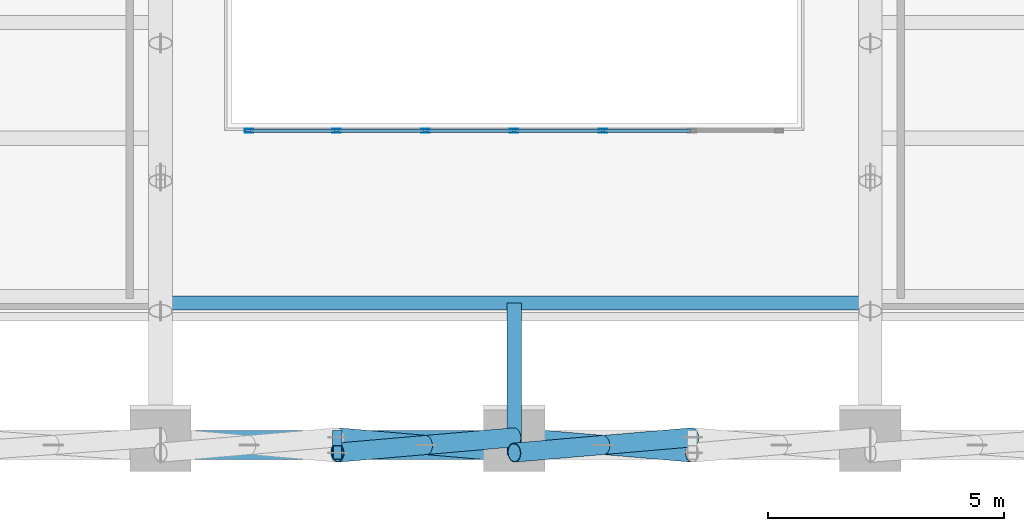
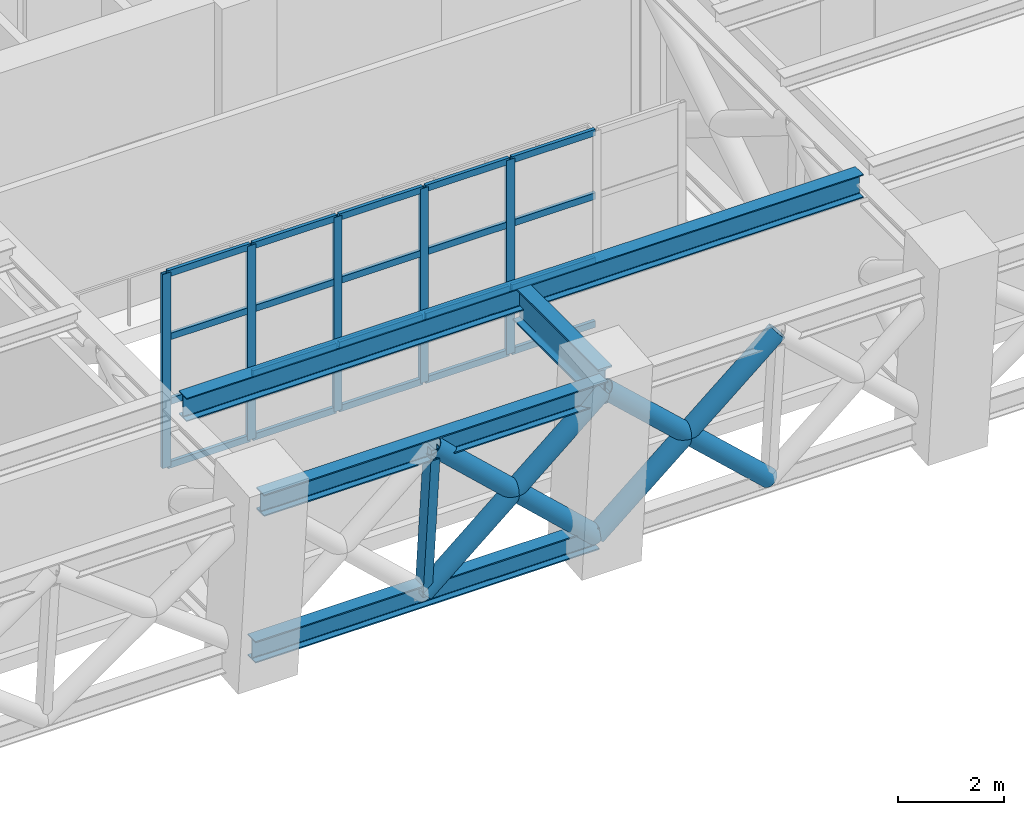
# One storey, part 2 of 13: 34 members, 2 beams, 1 element without a shape of its own.
"""IFC4 building model written with IfcOpenShell, lengths in metres."""

from ifc_helpers import new_model, si_unit, direction, frame, origin, origin_2d, place, context, subcontext, project, spatial, hollow_rectangle, hollow_circle, i_section, extrude, material, layer, layer_set, material_profile, profile_set, type_object, element, aggregate, save


model = new_model("IFC4")

# Units and contexts
model_context = context("Model", 3, precision=1e-05, world=origin(), true_north=direction((0.0, 1.0)))
body_context = subcontext(model_context, "Body", "Model", "MODEL_VIEW")
ifc_project = project(units=[si_unit("LENGTHUNIT", "METRE"), si_unit("AREAUNIT", "SQUARE_METRE"), si_unit("VOLUMEUNIT", "CUBIC_METRE"), si_unit("PLANEANGLEUNIT", "RADIAN"), si_unit("MASSUNIT", "GRAM", prefix="KILO")], contexts=[model_context])

# Site, building, storey
site_placement = place(None, origin())
site = spatial("IfcSite", under=ifc_project, at=site_placement, CompositionType="ELEMENT")
building_placement = place(site_placement, origin())
building = spatial("IfcBuilding", under=site, at=building_placement, Name="Zarnavel Station Tower", CompositionType="ELEMENT")
storey_placement = place(building_placement, frame((0.0, 0.0, 132.89990234375)))
storey = spatial("IfcBuildingStorey", under=building, at=storey_placement, Name="L36", CompositionType="ELEMENT", Elevation=132.89990234375)

# Members
ifc_material_1 = material(Name="Steel S460M", Category="steel")
ifc_material_profile_1 = material_profile(ifc_material_1, i_section(OverallWidth=0.300048828125, OverallDepth=0.5, WebThickness=0.014404296875, FlangeThickness=0.028076171875, FilletRadius=0.027099609375, at=origin_2d()), Name="HEB500")
ifc_profile_set_1 = profile_set([ifc_material_profile_1], Name="Steel S460M")
member_type_1 = type_object("IfcMemberType", Name="BT_CHORD_HEB500", PredefinedType="CHORD", material=ifc_profile_set_1)
for number, where, z_axis, x_axis, name in (
    (1, (21.300048828125, 14.148193359375, 0.400146484375), (1.0, 0.0, 0.0), (0.0, 1.0, 0.0), "L36 Perimeter Belt Truss Bottom Chord 2"),
    (2, (21.300048828125, 13.823974609375, 3.97998046875), (1.0, 0.0, 0.0), (0.0, 1.0, 0.0), "L36 Perimeter Belt Truss Top Chord 2"),
):
    element("IfcMember", number, at=place(storey_placement, frame(where, z_axis=z_axis, x_axis=x_axis)), inside=storey, type_object=member_type_1, Name=name, PredefinedType="CHORD", context=body_context, shape_type="SweptSolid", body=[
        extrude(i_section(OverallWidth=0.300048828125, OverallDepth=0.5, WebThickness=0.014404296875, FlangeThickness=0.028076171875, FilletRadius=0.027099609375, at=origin_2d()), origin(), (0.0, 0.0, 1.0), 7.5),
    ])
ifc_material_2 = material(Name="Steel S460M", Category="steel")
ifc_material_profile_2 = material_profile(ifc_material_2, hollow_circle(Radius=0.203125, WallThickness=0.01611328125, at=origin_2d()), Name="CHS406.4x16")
ifc_profile_set_2 = profile_set([ifc_material_profile_2], Name="Steel S460M")
member_type_2 = type_object("IfcMemberType", Name="BT_DIAG_CHS406", PredefinedType="BRACE", material=ifc_profile_set_2)
member_1_placement = place(storey_placement, frame((25.050048828125, 14.148193359375, 0.400146484375), z_axis=(0.721917427316, -0.06241577757, 0.689158544058), x_axis=(0.086136993838, 0.996283302225, 0.0)))
element("IfcMember", 3, at=member_1_placement, inside=storey, type_object=member_type_2, Name="L36 Belt Truss Continuous Diagonal A2 2", PredefinedType="BRACE", context=body_context, shape_type="SweptSolid", body=[
    extrude(hollow_circle(Radius=0.203125, WallThickness=0.01611328125, at=origin_2d()), origin(), (0.0, 0.0, 1.0), 5.194580078125),
])
member_2_placement = place(storey_placement, frame((28.800048828125, 14.148193359375, 0.400146484375), z_axis=(-0.721894044506, -0.062413755931, 0.689183220615), x_axis=(0.086136993838, -0.996283302225, 0.0)))
element("IfcMember", 4, at=member_2_placement, inside=storey, type_object=member_type_2, Name="L36 Belt Truss Split Diagonal B2 Lower 2", PredefinedType="BRACE", context=body_context, shape_type="SweptSolid", body=[
    extrude(hollow_circle(Radius=0.203125, WallThickness=0.01611328125, at=origin_2d()), origin(), (0.0, 0.0, 1.0), 2.597412109375),
])
member_3_placement = place(storey_placement, frame((26.925048828125, 13.986083984375, 2.190185546875), z_axis=(-0.721940810803, -0.062417799267, 0.689133865103), x_axis=(0.086136993838, -0.996283302225, 0.0)))
element("IfcMember", 5, at=member_3_placement, inside=storey, type_object=member_type_2, Name="L36 Belt Truss Split Diagonal B2 Upper 2", PredefinedType="BRACE", context=body_context, shape_type="SweptSolid", body=[
    extrude(hollow_circle(Radius=0.203125, WallThickness=0.01611328125, at=origin_2d()), origin(), (0.0, 0.0, 1.0), 2.59716796875),
])
member_4_placement = place(storey_placement, frame((28.800048828125, 14.148193359375, 0.400146484375), z_axis=(0.724201080753, -0.062200170433, 0.686777936042), x_axis=(0.085572938474, 0.996331908653, 0.0)))
element("IfcMember", 6, at=member_4_placement, inside=storey, type_object=member_type_2, Name="L36 Belt Truss Continuous Diagonal A1 3", PredefinedType="BRACE", context=body_context, shape_type="SweptSolid", body=[
    extrude(hollow_circle(Radius=0.203125, WallThickness=0.01611328125, at=origin_2d()), origin(), (0.0, 0.0, 1.0), 5.21240234375),
])
member_5_placement = place(storey_placement, frame((32.574951171875, 14.148193359375, 0.400146484375), z_axis=(-0.724177785745, -0.062198169672, 0.686802680777), x_axis=(0.085572938474, -0.996331908653, 0.0)))
element("IfcMember", 7, at=member_5_placement, inside=storey, type_object=member_type_2, Name="L36 Belt Truss Split Diagonal B1 Lower 3", PredefinedType="BRACE", context=body_context, shape_type="SweptSolid", body=[
    extrude(hollow_circle(Radius=0.203125, WallThickness=0.01611328125, at=origin_2d()), origin(), (0.0, 0.0, 1.0), 2.6064453125),
])
member_6_placement = place(storey_placement, frame((30.6875, 13.986083984375, 2.190185546875), z_axis=(-0.72422437642, -0.062202171251, 0.686753188919), x_axis=(0.085572938474, -0.996331908653, 0.0)))
element("IfcMember", 8, at=member_6_placement, inside=storey, type_object=member_type_2, Name="L36 Belt Truss Split Diagonal B1 Upper 3", PredefinedType="BRACE", context=body_context, shape_type="SweptSolid", body=[
    extrude(hollow_circle(Radius=0.203125, WallThickness=0.01611328125, at=origin_2d()), origin(), (0.0, 0.0, 1.0), 2.606201171875),
])
ifc_material_3 = material(Name="Steel S460M", Category="steel")
ifc_material_profile_3 = material_profile(ifc_material_3, hollow_rectangle(XDim=0.199951171875, YDim=0.300048828125, WallThickness=0.012451171875, at=origin_2d()), Name="RHS300x200x12.5")
ifc_profile_set_3 = profile_set([ifc_material_profile_3], Name="Steel S460M")
member_type_3 = type_object("IfcMemberType", Name="BT_POST_RHS300", PredefinedType="POST", material=ifc_profile_set_3)
member_7_placement = place(storey_placement, frame((25.050048828125, 14.148193359375, 0.400146484375), z_axis=(0.0, -0.090198920139, 0.995923769576), x_axis=(1.0, 0.0, 0.0)))
element("IfcMember", 9, at=member_7_placement, inside=storey, type_object=member_type_3, Name="L36 Belt Truss Mid-Bay Post 2", PredefinedType="POST", context=body_context, shape_type="SweptSolid", body=[
    extrude(hollow_rectangle(XDim=0.199951171875, YDim=0.300048828125, WallThickness=0.012451171875, at=origin_2d()), origin(), (0.0, 0.0, 1.0), 3.594482421875),
])

# Curtain wall, members
ifc_material_4 = material(Name="Aluminium Dark Anodised and Solar-Control Glass", Category="aluminium")
ifc_layer = layer(ifc_material_4, 0.179931640625)
ifc_layer_set = layer_set([ifc_layer], Name="CWS4")
curtain_wall_type = type_object("IfcCurtainWallType", Name="CWS4", PredefinedType="NOTDEFINED", material=ifc_layer_set)
curtain_wall_placement = place(storey_placement, origin())
curtain_wall = element("IfcCurtainWall", 10, at=curtain_wall_placement, inside=storey, type_object=curtain_wall_type, Name="L36 Curtain Wall CWS4-L36-AS", PredefinedType="NOTDEFINED")
ifc_material_5 = material(Name="Steel S355J2 (Black Fluoropolymer Coated)", Category="steel")
ifc_material_profile_4 = material_profile(ifc_material_5, hollow_rectangle(XDim=0.080078125, YDim=0.179931640625, WallThickness=0.00634765625, at=origin_2d()), Name="RHS180x80x6.3")
ifc_profile_set_4 = profile_set([ifc_material_profile_4], Name="Steel S355J2 (Black Fluoropolymer Coated)")
member_type_4 = type_object("IfcMemberType", Name="CWS4_MUL", PredefinedType="MULLION", material=ifc_profile_set_4)
member_8_placement = place(storey_placement, frame((23.179931640625, 20.64990234375, 0.0), z_axis=(0.0, 0.0, 1.0), x_axis=(0.0, 1.0, 0.0)))
member_8 = element("IfcMember", 11, at=member_8_placement, type_object=member_type_4, Name="CW4 mullion 1", PredefinedType="MULLION", context=body_context, shape_type="SweptSolid", body=[
    extrude(hollow_rectangle(XDim=0.080078125, YDim=0.179931640625, WallThickness=0.00634765625, at=origin_2d()), origin(), (0.0, 0.0, 1.0), 4.47998046875),
])
member_9_placement = place(storey_placement, frame((25.033447265625, 20.64990234375, 0.0), z_axis=(0.0, 0.0, 1.0), x_axis=(0.0, 1.0, 0.0)))
member_9 = element("IfcMember", 12, at=member_9_placement, type_object=member_type_4, Name="CW4 mullion 2", PredefinedType="MULLION", context=body_context, shape_type="SweptSolid", body=[
    extrude(hollow_rectangle(XDim=0.080078125, YDim=0.179931640625, WallThickness=0.00634765625, at=origin_2d()), origin(), (0.0, 0.0, 1.0), 4.47998046875),
])
member_10_placement = place(storey_placement, frame((26.916748046875, 20.64990234375, 0.0), z_axis=(0.0, 0.0, 1.0), x_axis=(0.0, 1.0, 0.0)))
member_10 = element("IfcMember", 13, at=member_10_placement, type_object=member_type_4, Name="CW4 mullion 3", PredefinedType="MULLION", context=body_context, shape_type="SweptSolid", body=[
    extrude(hollow_rectangle(XDim=0.080078125, YDim=0.179931640625, WallThickness=0.00634765625, at=origin_2d()), origin(), (0.0, 0.0, 1.0), 4.47998046875),
])
member_11_placement = place(storey_placement, frame((28.800048828125, 20.64990234375, 0.0), z_axis=(0.0, 0.0, 1.0), x_axis=(0.0, 1.0, 0.0)))
member_11 = element("IfcMember", 14, at=member_11_placement, type_object=member_type_4, Name="CW4 mullion 4", PredefinedType="MULLION", context=body_context, shape_type="SweptSolid", body=[
    extrude(hollow_rectangle(XDim=0.080078125, YDim=0.179931640625, WallThickness=0.00634765625, at=origin_2d()), origin(), (0.0, 0.0, 1.0), 4.47998046875),
])
member_12_placement = place(storey_placement, frame((30.683349609375, 20.64990234375, 0.0), z_axis=(0.0, 0.0, 1.0), x_axis=(0.0, 1.0, 0.0)))
member_12 = element("IfcMember", 15, at=member_12_placement, type_object=member_type_4, Name="CW4 mullion 5", PredefinedType="MULLION", context=body_context, shape_type="SweptSolid", body=[
    extrude(hollow_rectangle(XDim=0.080078125, YDim=0.179931640625, WallThickness=0.00634765625, at=origin_2d()), origin(), (0.0, 0.0, 1.0), 4.47998046875),
])
ifc_material_6 = material(Name="Steel S355J2 (Black Fluoropolymer Coated)", Category="steel")
ifc_material_profile_5 = material_profile(ifc_material_6, hollow_rectangle(XDim=0.074951171875, YDim=0.14990234375, WallThickness=0.00634765625, at=origin_2d()), Name="RHS150x75x6.3")
ifc_profile_set_5 = profile_set([ifc_material_profile_5], Name="Steel S355J2 (Black Fluoropolymer Coated)")
member_type_5 = type_object("IfcMemberType", Name="CWS4_TRN", PredefinedType="USERDEFINED", material=ifc_profile_set_5)
member_13_placement = place(storey_placement, frame((23.2099609375, 20.64990234375, 0.030029296875), z_axis=(1.0, 0.0, 0.0), x_axis=(0.0, 1.0, 0.0)))
member_13 = element("IfcMember", 16, at=member_13_placement, type_object=member_type_5, Name="CW4 transom 1.1", ObjectType="TRANSOM", PredefinedType="USERDEFINED", context=body_context, shape_type="SweptSolid", body=[
    extrude(hollow_rectangle(XDim=0.074951171875, YDim=0.14990234375, WallThickness=0.00634765625, at=origin_2d()), origin(), (0.0, 0.0, 1.0), 1.79345703125),
])
member_14_placement = place(storey_placement, frame((23.2099609375, 20.64990234375, 1.493408203125), z_axis=(1.0, 0.0, 0.0), x_axis=(0.0, 1.0, 0.0)))
member_14 = element("IfcMember", 17, at=member_14_placement, type_object=member_type_5, Name="CW4 transom 1.2", ObjectType="TRANSOM", PredefinedType="USERDEFINED", context=body_context, shape_type="SweptSolid", body=[
    extrude(hollow_rectangle(XDim=0.074951171875, YDim=0.14990234375, WallThickness=0.00634765625, at=origin_2d()), origin(), (0.0, 0.0, 1.0), 1.79345703125),
])
member_15_placement = place(storey_placement, frame((23.2099609375, 20.64990234375, 2.98681640625), z_axis=(1.0, 0.0, 0.0), x_axis=(0.0, 1.0, 0.0)))
member_15 = element("IfcMember", 18, at=member_15_placement, type_object=member_type_5, Name="CW4 transom 1.3", ObjectType="TRANSOM", PredefinedType="USERDEFINED", context=body_context, shape_type="SweptSolid", body=[
    extrude(hollow_rectangle(XDim=0.074951171875, YDim=0.14990234375, WallThickness=0.00634765625, at=origin_2d()), origin(), (0.0, 0.0, 1.0), 1.79345703125),
])
member_16_placement = place(storey_placement, frame((23.2099609375, 20.64990234375, 4.4501953125), z_axis=(1.0, 0.0, 0.0), x_axis=(0.0, 1.0, 0.0)))
member_16 = element("IfcMember", 19, at=member_16_placement, type_object=member_type_5, Name="CW4 transom 1.4", ObjectType="TRANSOM", PredefinedType="USERDEFINED", context=body_context, shape_type="SweptSolid", body=[
    extrude(hollow_rectangle(XDim=0.074951171875, YDim=0.14990234375, WallThickness=0.00634765625, at=origin_2d()), origin(), (0.0, 0.0, 1.0), 1.79345703125),
])
member_17_placement = place(storey_placement, frame((25.063232421875, 20.64990234375, 0.030029296875), z_axis=(1.0, 0.0, 0.0), x_axis=(0.0, 1.0, 0.0)))
member_17 = element("IfcMember", 20, at=member_17_placement, type_object=member_type_5, Name="CW4 transom 2.1", ObjectType="TRANSOM", PredefinedType="USERDEFINED", context=body_context, shape_type="SweptSolid", body=[
    extrude(hollow_rectangle(XDim=0.074951171875, YDim=0.14990234375, WallThickness=0.00634765625, at=origin_2d()), origin(), (0.0, 0.0, 1.0), 1.823486328125),
])
member_18_placement = place(storey_placement, frame((25.063232421875, 20.64990234375, 1.493408203125), z_axis=(1.0, 0.0, 0.0), x_axis=(0.0, 1.0, 0.0)))
member_18 = element("IfcMember", 21, at=member_18_placement, type_object=member_type_5, Name="CW4 transom 2.2", ObjectType="TRANSOM", PredefinedType="USERDEFINED", context=body_context, shape_type="SweptSolid", body=[
    extrude(hollow_rectangle(XDim=0.074951171875, YDim=0.14990234375, WallThickness=0.00634765625, at=origin_2d()), origin(), (0.0, 0.0, 1.0), 1.823486328125),
])
member_19_placement = place(storey_placement, frame((25.063232421875, 20.64990234375, 2.98681640625), z_axis=(1.0, 0.0, 0.0), x_axis=(0.0, 1.0, 0.0)))
member_19 = element("IfcMember", 22, at=member_19_placement, type_object=member_type_5, Name="CW4 transom 2.3", ObjectType="TRANSOM", PredefinedType="USERDEFINED", context=body_context, shape_type="SweptSolid", body=[
    extrude(hollow_rectangle(XDim=0.074951171875, YDim=0.14990234375, WallThickness=0.00634765625, at=origin_2d()), origin(), (0.0, 0.0, 1.0), 1.823486328125),
])
member_20_placement = place(storey_placement, frame((25.063232421875, 20.64990234375, 4.4501953125), z_axis=(1.0, 0.0, 0.0), x_axis=(0.0, 1.0, 0.0)))
member_20 = element("IfcMember", 23, at=member_20_placement, type_object=member_type_5, Name="CW4 transom 2.4", ObjectType="TRANSOM", PredefinedType="USERDEFINED", context=body_context, shape_type="SweptSolid", body=[
    extrude(hollow_rectangle(XDim=0.074951171875, YDim=0.14990234375, WallThickness=0.00634765625, at=origin_2d()), origin(), (0.0, 0.0, 1.0), 1.823486328125),
])
member_21_placement = place(storey_placement, frame((26.94677734375, 20.64990234375, 0.030029296875), z_axis=(1.0, 0.0, 0.0), x_axis=(0.0, 1.0, 0.0)))
member_21 = element("IfcMember", 24, at=member_21_placement, type_object=member_type_5, Name="CW4 transom 3.1", ObjectType="TRANSOM", PredefinedType="USERDEFINED", context=body_context, shape_type="SweptSolid", body=[
    extrude(hollow_rectangle(XDim=0.074951171875, YDim=0.14990234375, WallThickness=0.00634765625, at=origin_2d()), origin(), (0.0, 0.0, 1.0), 1.8232421875),
])
member_22_placement = place(storey_placement, frame((26.94677734375, 20.64990234375, 1.493408203125), z_axis=(1.0, 0.0, 0.0), x_axis=(0.0, 1.0, 0.0)))
member_22 = element("IfcMember", 25, at=member_22_placement, type_object=member_type_5, Name="CW4 transom 3.2", ObjectType="TRANSOM", PredefinedType="USERDEFINED", context=body_context, shape_type="SweptSolid", body=[
    extrude(hollow_rectangle(XDim=0.074951171875, YDim=0.14990234375, WallThickness=0.00634765625, at=origin_2d()), origin(), (0.0, 0.0, 1.0), 1.8232421875),
])
member_23_placement = place(storey_placement, frame((26.94677734375, 20.64990234375, 2.98681640625), z_axis=(1.0, 0.0, 0.0), x_axis=(0.0, 1.0, 0.0)))
member_23 = element("IfcMember", 26, at=member_23_placement, type_object=member_type_5, Name="CW4 transom 3.3", ObjectType="TRANSOM", PredefinedType="USERDEFINED", context=body_context, shape_type="SweptSolid", body=[
    extrude(hollow_rectangle(XDim=0.074951171875, YDim=0.14990234375, WallThickness=0.00634765625, at=origin_2d()), origin(), (0.0, 0.0, 1.0), 1.8232421875),
])
member_24_placement = place(storey_placement, frame((26.94677734375, 20.64990234375, 4.4501953125), z_axis=(1.0, 0.0, 0.0), x_axis=(0.0, 1.0, 0.0)))
member_24 = element("IfcMember", 27, at=member_24_placement, type_object=member_type_5, Name="CW4 transom 3.4", ObjectType="TRANSOM", PredefinedType="USERDEFINED", context=body_context, shape_type="SweptSolid", body=[
    extrude(hollow_rectangle(XDim=0.074951171875, YDim=0.14990234375, WallThickness=0.00634765625, at=origin_2d()), origin(), (0.0, 0.0, 1.0), 1.8232421875),
])
member_25_placement = place(storey_placement, frame((28.830078125, 20.64990234375, 0.030029296875), z_axis=(1.0, 0.0, 0.0), x_axis=(0.0, 1.0, 0.0)))
member_25 = element("IfcMember", 28, at=member_25_placement, type_object=member_type_5, Name="CW4 transom 4.1", ObjectType="TRANSOM", PredefinedType="USERDEFINED", context=body_context, shape_type="SweptSolid", body=[
    extrude(hollow_rectangle(XDim=0.074951171875, YDim=0.14990234375, WallThickness=0.00634765625, at=origin_2d()), origin(), (0.0, 0.0, 1.0), 1.8232421875),
])
member_26_placement = place(storey_placement, frame((28.830078125, 20.64990234375, 1.493408203125), z_axis=(1.0, 0.0, 0.0), x_axis=(0.0, 1.0, 0.0)))
member_26 = element("IfcMember", 29, at=member_26_placement, type_object=member_type_5, Name="CW4 transom 4.2", ObjectType="TRANSOM", PredefinedType="USERDEFINED", context=body_context, shape_type="SweptSolid", body=[
    extrude(hollow_rectangle(XDim=0.074951171875, YDim=0.14990234375, WallThickness=0.00634765625, at=origin_2d()), origin(), (0.0, 0.0, 1.0), 1.8232421875),
])
member_27_placement = place(storey_placement, frame((28.830078125, 20.64990234375, 2.98681640625), z_axis=(1.0, 0.0, 0.0), x_axis=(0.0, 1.0, 0.0)))
member_27 = element("IfcMember", 30, at=member_27_placement, type_object=member_type_5, Name="CW4 transom 4.3", ObjectType="TRANSOM", PredefinedType="USERDEFINED", context=body_context, shape_type="SweptSolid", body=[
    extrude(hollow_rectangle(XDim=0.074951171875, YDim=0.14990234375, WallThickness=0.00634765625, at=origin_2d()), origin(), (0.0, 0.0, 1.0), 1.8232421875),
])
member_28_placement = place(storey_placement, frame((28.830078125, 20.64990234375, 4.4501953125), z_axis=(1.0, 0.0, 0.0), x_axis=(0.0, 1.0, 0.0)))
member_28 = element("IfcMember", 31, at=member_28_placement, type_object=member_type_5, Name="CW4 transom 4.4", ObjectType="TRANSOM", PredefinedType="USERDEFINED", context=body_context, shape_type="SweptSolid", body=[
    extrude(hollow_rectangle(XDim=0.074951171875, YDim=0.14990234375, WallThickness=0.00634765625, at=origin_2d()), origin(), (0.0, 0.0, 1.0), 1.8232421875),
])
member_29_placement = place(storey_placement, frame((30.71337890625, 20.64990234375, 0.030029296875), z_axis=(1.0, 0.0, 0.0), x_axis=(0.0, 1.0, 0.0)))
member_29 = element("IfcMember", 32, at=member_29_placement, type_object=member_type_5, Name="CW4 transom 5.1", ObjectType="TRANSOM", PredefinedType="USERDEFINED", context=body_context, shape_type="SweptSolid", body=[
    extrude(hollow_rectangle(XDim=0.074951171875, YDim=0.14990234375, WallThickness=0.00634765625, at=origin_2d()), origin(), (0.0, 0.0, 1.0), 1.8232421875),
])
member_30_placement = place(storey_placement, frame((30.71337890625, 20.64990234375, 1.493408203125), z_axis=(1.0, 0.0, 0.0), x_axis=(0.0, 1.0, 0.0)))
member_30 = element("IfcMember", 33, at=member_30_placement, type_object=member_type_5, Name="CW4 transom 5.2", ObjectType="TRANSOM", PredefinedType="USERDEFINED", context=body_context, shape_type="SweptSolid", body=[
    extrude(hollow_rectangle(XDim=0.074951171875, YDim=0.14990234375, WallThickness=0.00634765625, at=origin_2d()), origin(), (0.0, 0.0, 1.0), 1.8232421875),
])
member_31_placement = place(storey_placement, frame((30.71337890625, 20.64990234375, 2.98681640625), z_axis=(1.0, 0.0, 0.0), x_axis=(0.0, 1.0, 0.0)))
member_31 = element("IfcMember", 34, at=member_31_placement, type_object=member_type_5, Name="CW4 transom 5.3", ObjectType="TRANSOM", PredefinedType="USERDEFINED", context=body_context, shape_type="SweptSolid", body=[
    extrude(hollow_rectangle(XDim=0.074951171875, YDim=0.14990234375, WallThickness=0.00634765625, at=origin_2d()), origin(), (0.0, 0.0, 1.0), 1.8232421875),
])
member_32_placement = place(storey_placement, frame((30.71337890625, 20.64990234375, 4.4501953125), z_axis=(1.0, 0.0, 0.0), x_axis=(0.0, 1.0, 0.0)))
member_32 = element("IfcMember", 35, at=member_32_placement, type_object=member_type_5, Name="CW4 transom 5.4", ObjectType="TRANSOM", PredefinedType="USERDEFINED", context=body_context, shape_type="SweptSolid", body=[
    extrude(hollow_rectangle(XDim=0.074951171875, YDim=0.14990234375, WallThickness=0.00634765625, at=origin_2d()), origin(), (0.0, 0.0, 1.0), 1.8232421875),
])
aggregate(curtain_wall, [member_8, member_9, member_10, member_11, member_12, member_13, member_14, member_15, member_16, member_17, member_18, member_19, member_20, member_21, member_22, member_23, member_24, member_25, member_26, member_27, member_28, member_29, member_30, member_31, member_32])

# Beams
ifc_material_7 = material(Name="Steel S355J2", Category="steel")
ifc_material_profile_6 = material_profile(ifc_material_7, i_section(OverallWidth=0.300048828125, OverallDepth=0.5400390625, WebThickness=0.012451171875, FlangeThickness=0.02392578125, FilletRadius=0.027099609375, at=origin_2d()), Name="HEA550")
ifc_profile_set_6 = profile_set([ifc_material_profile_6], Name="Steel S355J2")
beam_type_1 = type_object("IfcBeamType", Name="FB_HEA550", PredefinedType="BEAM", material=ifc_profile_set_6)
beam_1_placement = place(storey_placement, frame((21.445068359375, 17.0, 4.210205078125), z_axis=(1.0, 0.0, 0.0), x_axis=(0.0, 1.0, 0.0)))
element("IfcBeam", 36, at=beam_1_placement, inside=storey, type_object=beam_type_1, Name="L36 Atrium South Edge Girder", PredefinedType="BEAM", context=body_context, shape_type="SweptSolid", body=[
    extrude(i_section(OverallWidth=0.300048828125, OverallDepth=0.5400390625, WebThickness=0.012451171875, FlangeThickness=0.02392578125, FilletRadius=0.027099609375, at=origin_2d()), origin(), (0.0, 0.0, 1.0), 14.760009765625),
])
ifc_material_8 = material(Name="Steel S460M", Category="steel")
ifc_material_profile_7 = material_profile(ifc_material_8, i_section(OverallWidth=0.302978515625, OverallDepth=0.81396484375, WebThickness=0.02099609375, FlangeThickness=0.0400390625, FilletRadius=0.030029296875, at=origin_2d()), Name="HEM800")
ifc_profile_set_7 = profile_set([ifc_material_profile_7], Name="Steel S460M")
beam_type_2 = type_object("IfcBeamType", Name="FG_HEM800", PredefinedType="USERDEFINED", material=ifc_profile_set_7)
beam_2_placement = place(storey_placement, frame((28.800048828125, 13.778564453125, 4.072998046875), z_axis=(0.0, 1.0, 0.0), x_axis=(-1.0, 0.0, 0.0)))
element("IfcBeam", 37, at=beam_2_placement, inside=storey, type_object=beam_type_2, Name="L36 Central Atrium-South Girder", ObjectType="GIRDER", PredefinedType="USERDEFINED", context=body_context, shape_type="SweptSolid", body=[
    extrude(i_section(OverallWidth=0.302978515625, OverallDepth=0.81396484375, WebThickness=0.02099609375, FlangeThickness=0.0400390625, FilletRadius=0.030029296875, at=origin_2d()), origin(), (0.0, 0.0, 1.0), 3.221435546875),
])

save(model, "model.ifc")
